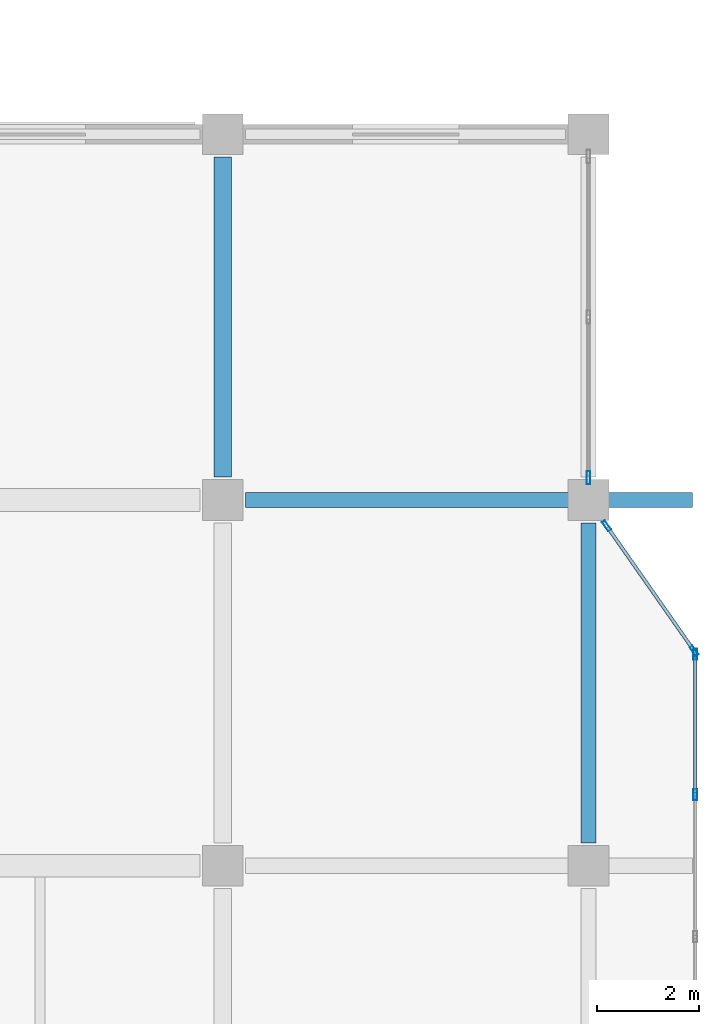
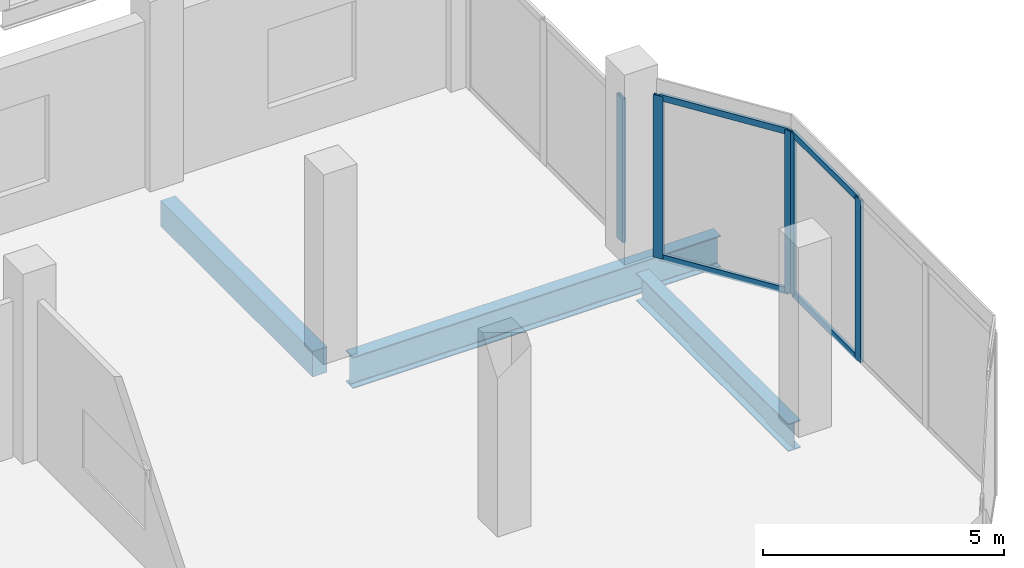
# One storey, part 49 of 99: 9 members, 3 beams, 3 elements without a shape of their own.
"""IFC4 building model written with IfcOpenShell, lengths in metres."""

from ifc_helpers import new_model, si_unit, direction, frame, origin, origin_2d, place, context, subcontext, project, spatial, rectangle, hollow_rectangle, i_section, extrude, material, material_profile, profile_set, type_object, element, aggregate, save


model = new_model("IFC4")

# Units and contexts
model_context = context("Model", 3, precision=1e-05, world=origin(), true_north=direction((0.0, 1.0)))
body_context = subcontext(model_context, "Body", "Model", "MODEL_VIEW")
ifc_project = project(units=[si_unit("LENGTHUNIT", "METRE"), si_unit("AREAUNIT", "SQUARE_METRE"), si_unit("VOLUMEUNIT", "CUBIC_METRE"), si_unit("PLANEANGLEUNIT", "RADIAN"), si_unit("MASSUNIT", "GRAM", prefix="KILO")], contexts=[model_context])

# Site, building, storey
site_placement = place(None, origin())
site = spatial("IfcSite", under=ifc_project, at=site_placement, CompositionType="ELEMENT")
building_placement = place(site_placement, origin())
building = spatial("IfcBuilding", under=site, at=building_placement, Name="Vesperath Aquatics Centre", CompositionType="ELEMENT")
storey_placement = place(building_placement, frame((0.0, 0.0, 5.39990234375)))
storey = spatial("IfcBuildingStorey", under=building, at=storey_placement, Name="L01", CompositionType="ELEMENT", Elevation=5.39990234375)

# Beams
ifc_material_1 = material(Name="Concrete C35", Category="concrete")
ifc_material_profile_1 = material_profile(ifc_material_1, rectangle(XDim=0.35009765625, YDim=0.64990234375, at=origin_2d()), Name="RC 350x650")
ifc_profile_set_1 = profile_set([ifc_material_profile_1], Name="Concrete C35")
beam_type_1 = type_object("IfcBeamType", Name="BM-G05", PredefinedType="BEAM", material=ifc_profile_set_1)
beam_1_placement = place(storey_placement, frame((165.60009765625, 36.449951171875, -0.5849609375), z_axis=(0.0, 1.0, 0.0), x_axis=(-1.0, 0.0, 0.0)))
element("IfcBeam", 1, at=beam_1_placement, inside=storey, type_object=beam_type_1, Name="Floor Girder B05 L01 24 F-G", PredefinedType="BEAM", context=body_context, shape_type="SweptSolid", body=[
    extrude(rectangle(XDim=0.35009765625, YDim=0.64990234375, at=origin_2d()), origin(), (0.0, 0.0, 1.0), 6.300048828125),
])
ifc_material_2 = material(Name="Steel Q355D", Category="steel")
ifc_material_profile_2 = material_profile(ifc_material_2, i_section(OverallWidth=0.300048828125, OverallDepth=0.800048828125, WebThickness=0.013916015625, FlangeThickness=0.02587890625, FilletRadius=0.028076171875, at=origin_2d()), Name="HN 800x300x14x26")
ifc_profile_set_2 = profile_set([ifc_material_profile_2], Name="Steel Q355D")
beam_type_2 = type_object("IfcBeamType", Name="BM-G07", PredefinedType="BEAM", material=ifc_profile_set_2)
beam_2_placement = place(storey_placement, frame((166.050048828125, 36.0, -0.659912109375), z_axis=(1.0, 0.0, 0.0), x_axis=(0.0, 1.0, 0.0)))
element("IfcBeam", 2, at=beam_2_placement, inside=storey, type_object=beam_type_2, Name="Floor Girder B07 L01 F 24-25", PredefinedType="BEAM", context=body_context, shape_type="SweptSolid", body=[
    extrude(i_section(OverallWidth=0.300048828125, OverallDepth=0.800048828125, WebThickness=0.013916015625, FlangeThickness=0.02587890625, FilletRadius=0.028076171875, at=origin_2d()), origin(), (0.0, 0.0, 1.0), 8.800048828125),
])
ifc_material_3 = material(Name="Steel Q355C", Category="steel")
ifc_material_profile_3 = material_profile(ifc_material_3, i_section(OverallWidth=0.300048828125, OverallDepth=0.699951171875, WebThickness=0.012939453125, FlangeThickness=0.02392578125, FilletRadius=0.028076171875, at=origin_2d()), Name="HN 700x300x13x24")
ifc_profile_set_3 = profile_set([ifc_material_profile_3], Name="Steel Q355C")
beam_type_3 = type_object("IfcBeamType", Name="BM-G08", PredefinedType="BEAM", material=ifc_profile_set_3)
beam_3_placement = place(storey_placement, frame((172.800048828125, 29.25, -0.60986328125), z_axis=(0.0, 1.0, 0.0), x_axis=(-1.0, 0.0, 0.0)))
element("IfcBeam", 3, at=beam_3_placement, inside=storey, type_object=beam_type_3, Name="Floor Girder B08 L01 25 E-F", PredefinedType="BEAM", context=body_context, shape_type="SweptSolid", body=[
    extrude(i_section(OverallWidth=0.300048828125, OverallDepth=0.699951171875, WebThickness=0.012939453125, FlangeThickness=0.02392578125, FilletRadius=0.028076171875, at=origin_2d()), origin(), (0.0, 0.0, 1.0), 6.300048828125),
])

# Curtain wall, member
ifc_material_4 = material(Name="Thermally broken anodised bronze aluminium curtain wall", Category="aluminium")
curtain_wall_type_1 = type_object("IfcCurtainWallType", Name="CW-02", PredefinedType="NOTDEFINED", material=ifc_material_4)
curtain_wall_1_placement = place(storey_placement, origin())
curtain_wall_1 = element("IfcCurtainWall", 4, at=curtain_wall_1_placement, inside=storey, type_object=curtain_wall_type_1, Name="Facade Curtain Wall CW02 L01_E_24_05", PredefinedType="NOTDEFINED")
ifc_material_5 = material(Name="Thermally broken anodised aluminium", Category="aluminium")
ifc_material_profile_4 = material_profile(ifc_material_5, hollow_rectangle(XDim=0.074951171875, YDim=0.260009765625, WallThickness=0.006103515625, at=origin_2d()), Name="CWM 75x260x6")
ifc_profile_set_4 = profile_set([ifc_material_profile_4], Name="Thermally broken anodised aluminium")
member_type_1 = type_object("IfcMemberType", Name="MB-CWM1", PredefinedType="MULLION", material=ifc_profile_set_4)
member_1_placement = place(storey_placement, frame((172.800048828125, 36.4375, 0.0), z_axis=(0.0, 0.0, 1.0), x_axis=(-1.0, 0.0, 0.0)))
member_1 = element("IfcMember", 5, at=member_1_placement, type_object=member_type_1, Name="CW02 mullion 1", PredefinedType="MULLION", context=body_context, shape_type="SweptSolid", body=[
    extrude(hollow_rectangle(XDim=0.074951171875, YDim=0.260009765625, WallThickness=0.006103515625, at=origin_2d()), origin(), (0.0, 0.0, 1.0), 3.64013671875),
])
aggregate(curtain_wall_1, [member_1])

# Curtain wall, members
curtain_wall_type_2 = type_object("IfcCurtainWallType", Name="CW-06", PredefinedType="NOTDEFINED", material=ifc_material_4)
curtain_wall_2_placement = place(storey_placement, origin())
curtain_wall_2 = element("IfcCurtainWall", 6, at=curtain_wall_2_placement, inside=storey, type_object=curtain_wall_type_2, Name="East Avenue Bow Oriel Curtain Wall L01-C", PredefinedType="NOTDEFINED")
ifc_material_profile_5 = material_profile(ifc_material_5, hollow_rectangle(XDim=0.070068359375, YDim=0.219970703125, WallThickness=0.0048828125, at=origin_2d()), Name="CWM 70x220x5")
ifc_profile_set_5 = profile_set([ifc_material_profile_5], Name="Thermally broken anodised aluminium")
member_type_2 = type_object("IfcMemberType", Name="MB-CWM2", PredefinedType="MULLION", material=ifc_profile_set_5)
member_2_placement = place(storey_placement, frame((174.89990234375, 30.199951171875, 0.0), z_axis=(0.0, 0.0, 1.0), x_axis=(-1.0, 0.0, 0.0)))
member_2 = element("IfcMember", 7, at=member_2_placement, type_object=member_type_2, Name="CW06 mullion 3", PredefinedType="MULLION", context=body_context, shape_type="SweptSolid", body=[
    extrude(hollow_rectangle(XDim=0.070068359375, YDim=0.219970703125, WallThickness=0.0048828125, at=origin_2d()), origin(), (0.0, 0.0, 1.0), 4.110107421875),
])
member_3_placement = place(storey_placement, frame((174.89990234375, 32.965087890625, 0.0), z_axis=(0.0, 0.0, 1.0), x_axis=(-1.0, 0.0, 0.0)))
member_3 = element("IfcMember", 8, at=member_3_placement, type_object=member_type_2, Name="CW06 mullion 4", PredefinedType="MULLION", context=body_context, shape_type="SweptSolid", body=[
    extrude(hollow_rectangle(XDim=0.070068359375, YDim=0.219970703125, WallThickness=0.0048828125, at=origin_2d()), origin(), (0.0, 0.0, 1.0), 4.110107421875),
])

curtain_wall_3_placement = place(storey_placement, origin())
curtain_wall_3 = element("IfcCurtainWall", 9, at=curtain_wall_3_placement, inside=storey, type_object=curtain_wall_type_2, Name="East Avenue Bow Oriel Curtain Wall L01-N", PredefinedType="NOTDEFINED")
member_4_placement = place(storey_placement, frame((174.8798828125, 33.028564453125, 0.0), z_axis=(0.0, 0.0, 1.0), x_axis=(-0.819231920515, -0.57346234437, 0.0)))
member_4 = element("IfcMember", 10, at=member_4_placement, type_object=member_type_2, Name="CW06 mullion 1", PredefinedType="MULLION", context=body_context, shape_type="SweptSolid", body=[
    extrude(hollow_rectangle(XDim=0.070068359375, YDim=0.219970703125, WallThickness=0.0048828125, at=origin_2d()), origin(), (0.0, 0.0, 1.0), 4.110107421875),
])
member_5_placement = place(storey_placement, frame((173.156005859375, 35.4912109375, 0.0), z_axis=(0.0, 0.0, 1.0), x_axis=(-0.819231920515, -0.57346234437, 0.0)))
member_5 = element("IfcMember", 11, at=member_5_placement, type_object=member_type_2, Name="CW06 mullion 2", PredefinedType="MULLION", context=body_context, shape_type="SweptSolid", body=[
    extrude(hollow_rectangle(XDim=0.070068359375, YDim=0.219970703125, WallThickness=0.0048828125, at=origin_2d()), origin(), (0.0, 0.0, 1.0), 4.110107421875),
])

# Member
ifc_material_profile_6 = material_profile(ifc_material_5, hollow_rectangle(XDim=0.070068359375, YDim=0.159912109375, WallThickness=0.0048828125, at=origin_2d()), Name="CWT 70x160x5")
ifc_profile_set_6 = profile_set([ifc_material_profile_6], Name="Thermally broken anodised aluminium")
member_type_3 = type_object("IfcMemberType", Name="MB-CWT2", PredefinedType="USERDEFINED", material=ifc_profile_set_6)
member_6_placement = place(storey_placement, frame((174.89990234375, 30.235107421875, 0.03515625), z_axis=(0.0, 1.0, 0.0), x_axis=(-1.0, 0.0, 0.0)))
member_6 = element("IfcMember", 12, at=member_6_placement, type_object=member_type_3, Name="CW06 transom 3.1", ObjectType="TRANSOM", PredefinedType="USERDEFINED", context=body_context, shape_type="SweptSolid", body=[
    extrude(hollow_rectangle(XDim=0.070068359375, YDim=0.159912109375, WallThickness=0.0048828125, at=origin_2d()), origin(), (0.0, 0.0, 1.0), 2.69482421875),
])

member_7_placement = place(storey_placement, frame((174.89990234375, 30.235107421875, 4.0751953125), z_axis=(0.0, 1.0, 0.0), x_axis=(-1.0, 0.0, 0.0)))
member_7 = element("IfcMember", 13, at=member_7_placement, type_object=member_type_3, Name="CW06 transom 3.2", ObjectType="TRANSOM", PredefinedType="USERDEFINED", context=body_context, shape_type="SweptSolid", body=[
    extrude(hollow_rectangle(XDim=0.070068359375, YDim=0.159912109375, WallThickness=0.0048828125, at=origin_2d()), origin(), (0.0, 0.0, 1.0), 2.69482421875),
])

aggregate(curtain_wall_2, [member_2, member_3, member_6, member_7])

member_8_placement = place(storey_placement, frame((174.85986328125, 33.057373046875, 0.03515625), z_axis=(-0.573495827706, 0.81920848116, 0.0), x_axis=(-0.81920848116, -0.573495827706, 0.0)))
member_8 = element("IfcMember", 14, at=member_8_placement, type_object=member_type_3, Name="CW06 transom 1.1", ObjectType="TRANSOM", PredefinedType="USERDEFINED", context=body_context, shape_type="SweptSolid", body=[
    extrude(hollow_rectangle(XDim=0.070068359375, YDim=0.159912109375, WallThickness=0.0048828125, at=origin_2d()), origin(), (0.0, 0.0, 1.0), 2.93603515625),
])

member_9_placement = place(storey_placement, frame((174.85986328125, 33.057373046875, 4.0751953125), z_axis=(-0.573495827706, 0.81920848116, 0.0), x_axis=(-0.81920848116, -0.573495827706, 0.0)))
member_9 = element("IfcMember", 15, at=member_9_placement, type_object=member_type_3, Name="CW06 transom 1.2", ObjectType="TRANSOM", PredefinedType="USERDEFINED", context=body_context, shape_type="SweptSolid", body=[
    extrude(hollow_rectangle(XDim=0.070068359375, YDim=0.159912109375, WallThickness=0.0048828125, at=origin_2d()), origin(), (0.0, 0.0, 1.0), 2.93603515625),
])

aggregate(curtain_wall_3, [member_4, member_5, member_8, member_9])

save(model, "model.ifc")
